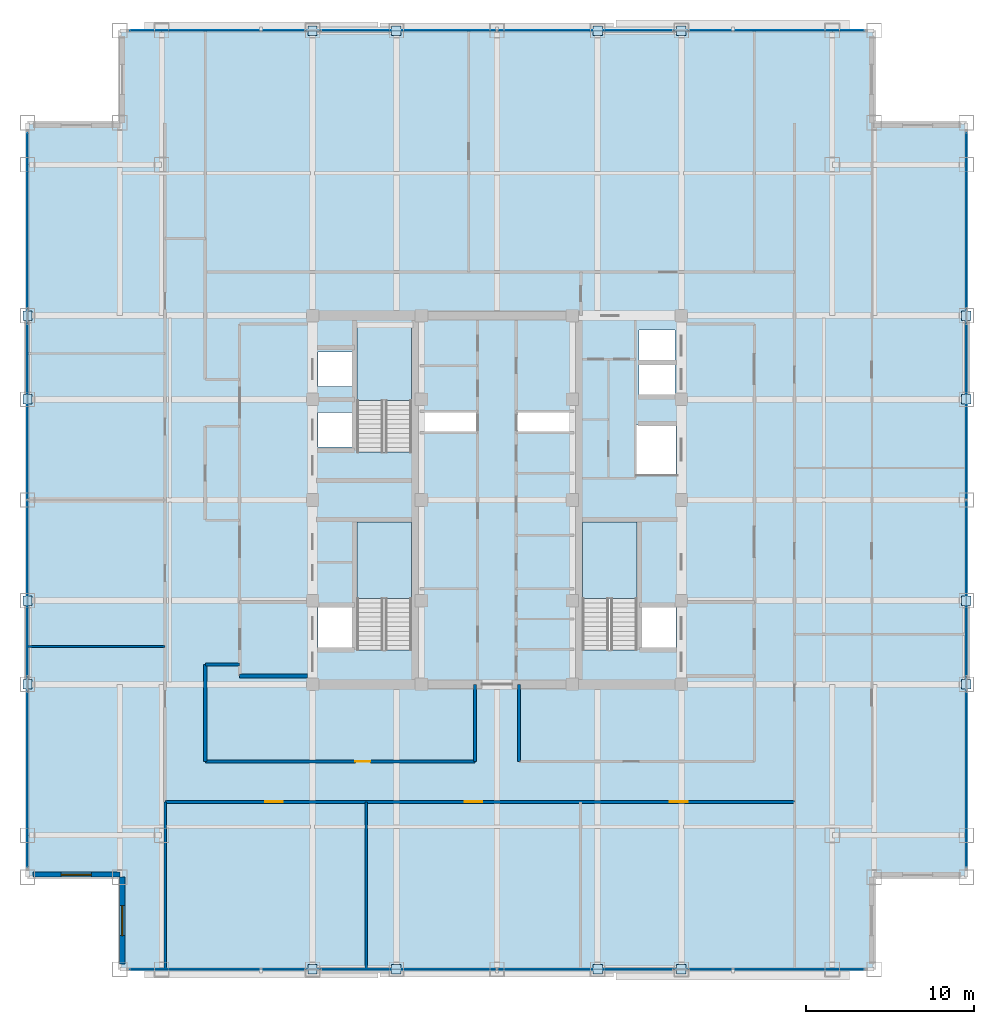
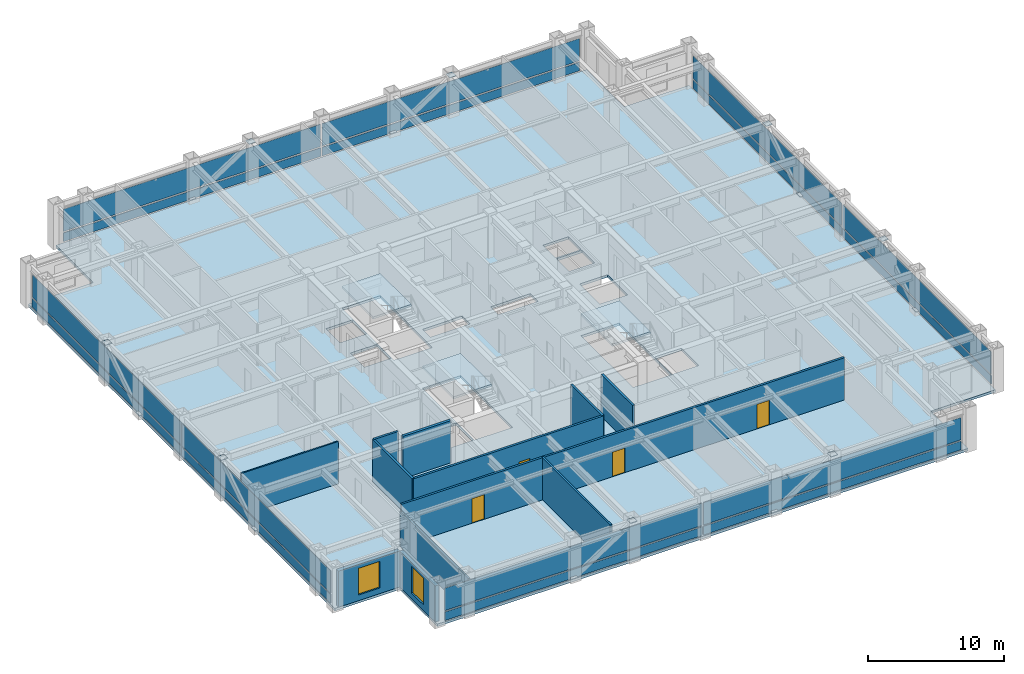
# One storey, part 17 of 27: 32 plates, 12 walls, 4 doors, 4 slabs, 2 windows, 6 openings, 7 elements without a shape of their own.
"""IFC4 building model written with IfcOpenShell, lengths in metres."""

from ifc_helpers import new_model, si_unit, direction, frame, frame_2d, origin, origin_2d, place, context, subcontext, project, spatial, polyline, rectangle, outline, extrude, source, transform, mapped, material, layer, layer_set, type_object, element, fill, aggregate, save


model = new_model("IFC4")

# Units and contexts
model_context = context("Model", 3, precision=1e-05, world=origin(), true_north=direction((0.0, 1.0)))
body_context = subcontext(model_context, "Body", "Model", "MODEL_VIEW")
ifc_project = project(units=[si_unit("LENGTHUNIT", "METRE"), si_unit("AREAUNIT", "SQUARE_METRE"), si_unit("VOLUMEUNIT", "CUBIC_METRE"), si_unit("PLANEANGLEUNIT", "RADIAN"), si_unit("MASSUNIT", "GRAM", prefix="KILO")], contexts=[model_context])

# Site, building, storey
site_placement = place(None, origin())
site = spatial("IfcSite", under=ifc_project, at=site_placement, CompositionType="ELEMENT")
building_placement = place(site_placement, origin())
building = spatial("IfcBuilding", under=site, at=building_placement, Name="Khorayat Bourse Tower", CompositionType="ELEMENT")
storey_placement = place(building_placement, frame((0.0, 0.0, 317.5)))
storey = spatial("IfcBuildingStorey", under=building, at=storey_placement, Name="L75", CompositionType="ELEMENT", Elevation=317.5)

# Stair, slab
ifc_material_1 = material(Name="Concrete C40/50", Category="concrete")
stair_type = type_object("IfcStairType", Name="STR-CORE-1550", PredefinedType="HALF_TURN_STAIR", material=ifc_material_1)
stair_1_placement = place(storey_placement, origin())
stair_1 = element("IfcStair", 1, at=stair_1_placement, inside=storey, type_object=stair_type, Name="L75 Exit Stair ST-1", PredefinedType="HALF_TURN_STAIR")
ifc_layer_1 = layer(ifc_material_1, 0.199951171875)
ifc_layer_set_1 = layer_set([ifc_layer_1], Name="Concrete C40/50")
slab_type_1 = type_object("IfcSlabType", Name="SLB-LANDING-200", PredefinedType="LANDING", material=ifc_layer_set_1)
slab_1_placement = place(storey_placement, frame((0.0, 0.0, 1.800048828125)))
slab_1 = element("IfcSlab", 2, at=slab_1_placement, type_object=slab_type_1, Name="ST-1 landing 1", PredefinedType="LANDING", context=body_context, shape_type="SweptSolid", body=[
    extrude(outline(polyline([(-5.10009765625, -5.8701171875), (-5.10009765625, -1.300048828125), (-8.35009765625, -1.300048828125), (-8.35009765625, -5.8701171875), (-5.10009765625, -5.8701171875)])), origin(), (0.0, 0.0, 1.0), 0.199951171875),
])
aggregate(stair_1, [slab_1])

stair_2_placement = place(storey_placement, origin())
stair_2 = element("IfcStair", 3, at=stair_2_placement, inside=storey, type_object=stair_type, Name="L75 Exit Stair ST-2", PredefinedType="HALF_TURN_STAIR")
slab_2_placement = place(storey_placement, frame((0.0, 0.0, 1.800048828125)))
slab_2 = element("IfcSlab", 4, at=slab_2_placement, type_object=slab_type_1, Name="ST-2 landing 1", PredefinedType="LANDING", context=body_context, shape_type="SweptSolid", body=[
    extrude(outline(polyline([(-5.10009765625, 5.929931640625), (-5.10009765625, 10.5), (-8.35009765625, 10.5), (-8.35009765625, 5.929931640625), (-5.10009765625, 5.929931640625)])), origin(), (0.0, 0.0, 1.0), 0.199951171875),
])
aggregate(stair_2, [slab_2])

stair_3_placement = place(storey_placement, origin())
stair_3 = element("IfcStair", 5, at=stair_3_placement, inside=storey, type_object=stair_type, Name="L75 Exit Stair ST-3", PredefinedType="HALF_TURN_STAIR")
slab_3_placement = place(storey_placement, frame((0.0, 0.0, 1.800048828125)))
slab_3 = element("IfcSlab", 6, at=slab_3_placement, type_object=slab_type_1, Name="ST-3 landing 1", PredefinedType="LANDING", context=body_context, shape_type="SweptSolid", body=[
    extrude(outline(polyline([(8.35009765625, -5.8701171875), (8.35009765625, -1.300048828125), (5.10009765625, -1.300048828125), (5.10009765625, -5.8701171875), (8.35009765625, -5.8701171875)])), origin(), (0.0, 0.0, 1.0), 0.199951171875),
])
aggregate(stair_3, [slab_3])

# Slab
ifc_layer_2 = layer(ifc_material_1, 0.219970703125)
ifc_layer_set_2 = layer_set([ifc_layer_2], Name="Concrete C40/50")
slab_type_2 = type_object("IfcSlabType", Name="SLB-OFFICE-220", PredefinedType="FLOOR", material=ifc_layer_set_2)
slab_4_placement = place(storey_placement, frame((0.0, 0.0, -0.219970703125)))
element("IfcSlab", 7, at=slab_4_placement, inside=storey, type_object=slab_type_2, Name="L75 Main Floor Slab", PredefinedType="FLOOR", context=body_context, shape_type="SweptSolid", body=[
    extrude(outline(polyline([(-22.5, -28.0), (22.5, -28.0), (22.5, -22.5), (28.0, -22.5), (28.0, 22.5), (22.5, 22.5), (22.5, 28.0), (-22.5, 28.0), (-22.5, 22.5), (-28.0, 22.5), (-28.0, -22.5), (-22.5, -22.5), (-22.5, -28.0)]), holes=[polyline([(-8.35009765625, -8.945068359375), (-5.10009765625, -8.945068359375), (-5.10009765625, -1.300048828125), (-8.35009765625, -1.300048828125), (-8.35009765625, -8.945068359375)]), polyline([(-8.35009765625, 2.85498046875), (-5.10009765625, 2.85498046875), (-5.10009765625, 10.5), (-8.35009765625, 10.5), (-8.35009765625, 2.85498046875)]), polyline([(5.10009765625, -8.945068359375), (8.35009765625, -8.945068359375), (8.35009765625, -1.300048828125), (5.10009765625, -1.300048828125), (5.10009765625, -8.945068359375)]), polyline([(-10.679931640625, 3.169921875), (-8.419921875, 3.169921875), (-8.419921875, 5.22998046875), (-10.679931640625, 5.22998046875), (-10.679931640625, 3.169921875)]), polyline([(-10.679931640625, 6.77001953125), (-8.419921875, 6.77001953125), (-8.419921875, 8.830078125), (-10.679931640625, 8.830078125), (-10.679931640625, 6.77001953125)]), polyline([(8.469970703125, 6.27001953125), (10.6298828125, 6.27001953125), (10.6298828125, 8.1298828125), (8.469970703125, 8.1298828125), (8.469970703125, 6.27001953125)]), polyline([(8.469970703125, 8.27001953125), (10.6298828125, 8.27001953125), (10.6298828125, 10.1298828125), (8.469970703125, 10.1298828125), (8.469970703125, 8.27001953125)]), polyline([(-10.679931640625, -8.929931640625), (-8.419921875, -8.929931640625), (-8.419921875, -6.3701171875), (-10.679931640625, -6.3701171875), (-10.679931640625, -8.929931640625)]), polyline([(8.419921875, -8.929931640625), (10.679931640625, -8.929931640625), (10.679931640625, -6.3701171875), (8.419921875, -6.3701171875), (8.419921875, -8.929931640625)]), polyline([(8.320068359375, 1.52001953125), (10.679931640625, 1.52001953125), (10.679931640625, 4.47998046875), (8.320068359375, 4.47998046875), (8.320068359375, 1.52001953125)]), polyline([(-4.56005859375, 4.080078125), (-1.18994140625, 4.080078125), (-1.18994140625, 5.219970703125), (-4.56005859375, 5.219970703125), (-4.56005859375, 4.080078125)]), polyline([(1.18994140625, 4.080078125), (4.56005859375, 4.080078125), (4.56005859375, 5.219970703125), (1.18994140625, 5.219970703125), (1.18994140625, 4.080078125)])]), origin(), (0.0, 0.0, 1.0), 0.219970703125),
])

# Plates
ifc_material_2 = material(Name="Steel EN 10025-2 S355J2", Category="steel")
ifc_layer_3 = layer(ifc_material_2, 0.02490234375)
ifc_layer_set_3 = layer_set([ifc_layer_3], Name="Steel EN 10025-2 S355J2")
plate_type_1 = type_object("IfcPlateType", Name="PLT-ENDCAP-25", PredefinedType="SHEET", material=ifc_layer_set_3)
shared_shape_1 = source(origin(), body_context, "Body", "SweptSolid", [
    extrude(rectangle(XDim=0.56005859375, YDim=0.56005859375, at=origin_2d()), origin(), (0.0, 0.0, 1.0), 0.02490234375),
])
for number, where, z_axis, x_axis, name in (
    (8, (-11.0, -28.0, 0.237548828125), (0.0, 0.0, 1.0), (1.0, 0.0, 0.0), "L75 Perimeter Brace End Plate 001"),
    (9, (-6.0, -28.0, 3.517578125), (0.0, 0.0, 1.0), (1.0, 0.0, 0.0), "L75 Perimeter Brace End Plate 002"),
    (10, (6.0, -28.0, 0.237548828125), (0.0, 0.0, 1.0), (1.0, 0.0, 0.0), "L75 Perimeter Brace End Plate 003"),
    (11, (11.0, -28.0, 3.517578125), (0.0, 0.0, 1.0), (1.0, 0.0, 0.0), "L75 Perimeter Brace End Plate 004"),
    (12, (-11.0, 28.0, 0.237548828125), (0.0, 0.0, 1.0), (1.0, 0.0, 0.0), "L75 Perimeter Brace End Plate 005"),
    (13, (-6.0, 28.0, 3.517578125), (0.0, 0.0, 1.0), (1.0, 0.0, 0.0), "L75 Perimeter Brace End Plate 006"),
    (14, (6.0, 28.0, 0.237548828125), (0.0, 0.0, 1.0), (1.0, 0.0, 0.0), "L75 Perimeter Brace End Plate 007"),
    (15, (11.0, 28.0, 3.517578125), (0.0, 0.0, 1.0), (1.0, 0.0, 0.0), "L75 Perimeter Brace End Plate 008"),
    (16, (-28.0, -11.0, 0.237548828125), (0.0, 0.0, 1.0), (1.0, 0.0, 0.0), "L75 Perimeter Brace End Plate 009"),
    (17, (-28.0, -6.0, 3.517578125), (0.0, 0.0, 1.0), (1.0, 0.0, 0.0), "L75 Perimeter Brace End Plate 010"),
    (18, (-28.0, 6.0, 0.237548828125), (0.0, 0.0, 1.0), (1.0, 0.0, 0.0), "L75 Perimeter Brace End Plate 011"),
    (19, (-28.0, 11.0, 3.517578125), (0.0, 0.0, 1.0), (1.0, 0.0, 0.0), "L75 Perimeter Brace End Plate 012"),
    (20, (28.0, -11.0, 0.237548828125), (0.0, 0.0, 1.0), (1.0, 0.0, 0.0), "L75 Perimeter Brace End Plate 013"),
    (21, (28.0, -6.0, 3.517578125), (0.0, 0.0, 1.0), (1.0, 0.0, 0.0), "L75 Perimeter Brace End Plate 014"),
    (22, (28.0, 6.0, 0.237548828125), (0.0, 0.0, 1.0), (1.0, 0.0, 0.0), "L75 Perimeter Brace End Plate 015"),
    (23, (28.0, 11.0, 3.517578125), (0.0, 0.0, 1.0), (1.0, 0.0, 0.0), "L75 Perimeter Brace End Plate 016"),
):
    element("IfcPlate", number, at=place(storey_placement, frame(where, z_axis=z_axis, x_axis=x_axis)), inside=storey, type_object=plate_type_1, Name=name, PredefinedType="SHEET", context=body_context, shape_type="MappedRepresentation", body=[
        mapped(shared_shape_1, transform((0.0, 0.0, 0.0), scale=1.0)),
    ])

# Curtain wall, plates
ifc_material_3 = material(Name="Aluminium EN AW-6063 T6", Category="aluminium")
curtain_wall_type = type_object("IfcCurtainWallType", Name="CW-SYS-04", PredefinedType="NOTDEFINED", material=ifc_material_3)
curtain_wall_1_placement = place(storey_placement, origin())
curtain_wall_1 = element("IfcCurtainWall", 24, at=curtain_wall_1_placement, inside=storey, type_object=curtain_wall_type, Name="L75 Curtain Wall CW-L75-S1", PredefinedType="NOTDEFINED")
ifc_material_4 = material(Name="Honed desert limestone insulated spandrel", Category="masonry")
ifc_layer_4 = layer(ifc_material_4, 0.06494140625)
ifc_layer_set_4 = layer_set([ifc_layer_4], Name="Honed desert limestone insulated spandrel")
plate_type_2 = type_object("IfcPlateType", Name="CWP-SPAND-03", PredefinedType="CURTAIN_PANEL", material=ifc_layer_set_4)
shared_shape_2 = source(origin(), body_context, "Body", "SweptSolid", [
    extrude(rectangle(XDim=21.820068359375, YDim=0.06494140625, at=origin_2d()), origin(), (0.0, 0.0, 1.0), 0.77001953125),
])
plate_1_placement = place(storey_placement, frame((-10.969970703125, -28.0, 0.119873046875), z_axis=(0.0, 0.0, 1.0), x_axis=(1.0, 0.0, 0.0)))
plate_1 = element("IfcPlate", 25, at=plate_1_placement, type_object=plate_type_2, Name="CW-L75-S1 Spandrel Panel 1-1", PredefinedType="CURTAIN_PANEL", context=body_context, shape_type="MappedRepresentation", body=[
    mapped(shared_shape_2, transform((0.0, 0.0, 0.0), scale=1.0)),
])
plate_2_placement = place(storey_placement, frame((10.969970703125, -28.0, 0.119873046875), z_axis=(0.0, 0.0, 1.0), x_axis=(1.0, 0.0, 0.0)))
plate_2 = element("IfcPlate", 26, at=plate_2_placement, type_object=plate_type_2, Name="CW-L75-S1 Spandrel Panel 2-1", PredefinedType="CURTAIN_PANEL", context=body_context, shape_type="MappedRepresentation", body=[
    mapped(shared_shape_2, transform((0.0, 0.0, 0.0), scale=1.0)),
])

curtain_wall_2_placement = place(storey_placement, origin())
curtain_wall_2 = element("IfcCurtainWall", 27, at=curtain_wall_2_placement, inside=storey, type_object=curtain_wall_type, Name="L75 Curtain Wall CW-L75-N1", PredefinedType="NOTDEFINED")
plate_3_placement = place(storey_placement, frame((-10.969970703125, 28.0, 0.119873046875), z_axis=(0.0, 0.0, 1.0), x_axis=(1.0, 0.0, 0.0)))
plate_3 = element("IfcPlate", 28, at=plate_3_placement, type_object=plate_type_2, Name="CW-L75-N1 Spandrel Panel 1-1", PredefinedType="CURTAIN_PANEL", context=body_context, shape_type="MappedRepresentation", body=[
    mapped(shared_shape_2, transform((0.0, 0.0, 0.0), scale=1.0)),
])
plate_4_placement = place(storey_placement, frame((10.969970703125, 28.0, 0.119873046875), z_axis=(0.0, 0.0, 1.0), x_axis=(1.0, 0.0, 0.0)))
plate_4 = element("IfcPlate", 29, at=plate_4_placement, type_object=plate_type_2, Name="CW-L75-N1 Spandrel Panel 2-1", PredefinedType="CURTAIN_PANEL", context=body_context, shape_type="MappedRepresentation", body=[
    mapped(shared_shape_2, transform((0.0, 0.0, 0.0), scale=1.0)),
])

curtain_wall_3_placement = place(storey_placement, origin())
curtain_wall_3 = element("IfcCurtainWall", 30, at=curtain_wall_3_placement, inside=storey, type_object=curtain_wall_type, Name="L75 Curtain Wall CW-L75-W1", PredefinedType="NOTDEFINED")
plate_5_placement = place(storey_placement, frame((-28.0, -10.969970703125, 0.119873046875), z_axis=(0.0, 0.0, 1.0), x_axis=(0.0, 1.0, 0.0)))
plate_5 = element("IfcPlate", 31, at=plate_5_placement, type_object=plate_type_2, Name="CW-L75-W1 Spandrel Panel 1-1", PredefinedType="CURTAIN_PANEL", context=body_context, shape_type="MappedRepresentation", body=[
    mapped(shared_shape_2, transform((0.0, 0.0, 0.0), scale=1.0)),
])
plate_6_placement = place(storey_placement, frame((-28.0, 10.969970703125, 0.119873046875), z_axis=(0.0, 0.0, 1.0), x_axis=(0.0, 1.0, 0.0)))
plate_6 = element("IfcPlate", 32, at=plate_6_placement, type_object=plate_type_2, Name="CW-L75-W1 Spandrel Panel 2-1", PredefinedType="CURTAIN_PANEL", context=body_context, shape_type="MappedRepresentation", body=[
    mapped(shared_shape_2, transform((0.0, 0.0, 0.0), scale=1.0)),
])

curtain_wall_4_placement = place(storey_placement, origin())
curtain_wall_4 = element("IfcCurtainWall", 33, at=curtain_wall_4_placement, inside=storey, type_object=curtain_wall_type, Name="L75 Curtain Wall CW-L75-E1", PredefinedType="NOTDEFINED")
plate_7_placement = place(storey_placement, frame((28.0, -10.969970703125, 0.119873046875), z_axis=(0.0, 0.0, 1.0), x_axis=(0.0, 1.0, 0.0)))
plate_7 = element("IfcPlate", 34, at=plate_7_placement, type_object=plate_type_2, Name="CW-L75-E1 Spandrel Panel 1-1", PredefinedType="CURTAIN_PANEL", context=body_context, shape_type="MappedRepresentation", body=[
    mapped(shared_shape_2, transform((0.0, 0.0, 0.0), scale=1.0)),
])
plate_8_placement = place(storey_placement, frame((28.0, 10.969970703125, 0.119873046875), z_axis=(0.0, 0.0, 1.0), x_axis=(0.0, 1.0, 0.0)))
plate_8 = element("IfcPlate", 35, at=plate_8_placement, type_object=plate_type_2, Name="CW-L75-E1 Spandrel Panel 2-1", PredefinedType="CURTAIN_PANEL", context=body_context, shape_type="MappedRepresentation", body=[
    mapped(shared_shape_2, transform((0.0, 0.0, 0.0), scale=1.0)),
])

# Plate
ifc_material_5 = material(Name="Low-E solar-control laminated double glazing", Category="glass")
ifc_layer_5 = layer(ifc_material_5, 0.0419921875)
ifc_layer_set_5 = layer_set([ifc_layer_5], Name="Low-E solar-control laminated double glazing")
plate_type_3 = type_object("IfcPlateType", Name="CWP-FACET-02", PredefinedType="CURTAIN_PANEL", material=ifc_layer_set_5)
shared_shape_3 = source(origin(), body_context, "Body", "SweptSolid", [
    extrude(rectangle(XDim=21.820068359375, YDim=0.0419921875, at=origin_2d()), origin(), (0.0, 0.0, 1.0), 2.0),
])
plate_9_placement = place(storey_placement, frame((-10.969970703125, -28.0, 1.010009765625), z_axis=(0.0, 0.0, 1.0), x_axis=(1.0, 0.0, 0.0)))
plate_9 = element("IfcPlate", 36, at=plate_9_placement, type_object=plate_type_3, Name="CW-L75-S1 Vision Panel 1-2", PredefinedType="CURTAIN_PANEL", context=body_context, shape_type="MappedRepresentation", body=[
    mapped(shared_shape_3, transform((0.0, 0.0, 0.0), scale=1.0)),
])

plate_10_placement = place(storey_placement, frame((10.969970703125, -28.0, 1.010009765625), z_axis=(0.0, 0.0, 1.0), x_axis=(1.0, 0.0, 0.0)))
plate_10 = element("IfcPlate", 37, at=plate_10_placement, type_object=plate_type_3, Name="CW-L75-S1 Vision Panel 2-2", PredefinedType="CURTAIN_PANEL", context=body_context, shape_type="MappedRepresentation", body=[
    mapped(shared_shape_3, transform((0.0, 0.0, 0.0), scale=1.0)),
])

aggregate(curtain_wall_1, [plate_1, plate_9, plate_2, plate_10])

plate_11_placement = place(storey_placement, frame((-10.969970703125, 28.0, 1.010009765625), z_axis=(0.0, 0.0, 1.0), x_axis=(1.0, 0.0, 0.0)))
plate_11 = element("IfcPlate", 38, at=plate_11_placement, type_object=plate_type_3, Name="CW-L75-N1 Vision Panel 1-2", PredefinedType="CURTAIN_PANEL", context=body_context, shape_type="MappedRepresentation", body=[
    mapped(shared_shape_3, transform((0.0, 0.0, 0.0), scale=1.0)),
])

plate_12_placement = place(storey_placement, frame((10.969970703125, 28.0, 1.010009765625), z_axis=(0.0, 0.0, 1.0), x_axis=(1.0, 0.0, 0.0)))
plate_12 = element("IfcPlate", 39, at=plate_12_placement, type_object=plate_type_3, Name="CW-L75-N1 Vision Panel 2-2", PredefinedType="CURTAIN_PANEL", context=body_context, shape_type="MappedRepresentation", body=[
    mapped(shared_shape_3, transform((0.0, 0.0, 0.0), scale=1.0)),
])

aggregate(curtain_wall_2, [plate_3, plate_11, plate_4, plate_12])

plate_13_placement = place(storey_placement, frame((-28.0, -10.969970703125, 1.010009765625), z_axis=(0.0, 0.0, 1.0), x_axis=(0.0, 1.0, 0.0)))
plate_13 = element("IfcPlate", 40, at=plate_13_placement, type_object=plate_type_3, Name="CW-L75-W1 Vision Panel 1-2", PredefinedType="CURTAIN_PANEL", context=body_context, shape_type="MappedRepresentation", body=[
    mapped(shared_shape_3, transform((0.0, 0.0, 0.0), scale=1.0)),
])

plate_14_placement = place(storey_placement, frame((-28.0, 10.969970703125, 1.010009765625), z_axis=(0.0, 0.0, 1.0), x_axis=(0.0, 1.0, 0.0)))
plate_14 = element("IfcPlate", 41, at=plate_14_placement, type_object=plate_type_3, Name="CW-L75-W1 Vision Panel 2-2", PredefinedType="CURTAIN_PANEL", context=body_context, shape_type="MappedRepresentation", body=[
    mapped(shared_shape_3, transform((0.0, 0.0, 0.0), scale=1.0)),
])

aggregate(curtain_wall_3, [plate_5, plate_13, plate_6, plate_14])

plate_15_placement = place(storey_placement, frame((28.0, -10.969970703125, 1.010009765625), z_axis=(0.0, 0.0, 1.0), x_axis=(0.0, 1.0, 0.0)))
plate_15 = element("IfcPlate", 42, at=plate_15_placement, type_object=plate_type_3, Name="CW-L75-E1 Vision Panel 1-2", PredefinedType="CURTAIN_PANEL", context=body_context, shape_type="MappedRepresentation", body=[
    mapped(shared_shape_3, transform((0.0, 0.0, 0.0), scale=1.0)),
])

plate_16_placement = place(storey_placement, frame((28.0, 10.969970703125, 1.010009765625), z_axis=(0.0, 0.0, 1.0), x_axis=(0.0, 1.0, 0.0)))
plate_16 = element("IfcPlate", 43, at=plate_16_placement, type_object=plate_type_3, Name="CW-L75-E1 Vision Panel 2-2", PredefinedType="CURTAIN_PANEL", context=body_context, shape_type="MappedRepresentation", body=[
    mapped(shared_shape_3, transform((0.0, 0.0, 0.0), scale=1.0)),
])

aggregate(curtain_wall_4, [plate_7, plate_15, plate_8, plate_16])

# Wall, opening, window
ifc_material_6 = material(Name="Precast concrete C45/55", Category="concrete")
ifc_layer_6 = layer(ifc_material_6, 0.320068359375)
ifc_layer_set_6 = layer_set([ifc_layer_6], Name="Precast concrete C45/55")
wall_type_1 = type_object("IfcWallType", Name="WAL-EXT-STONE-320", PredefinedType="STANDARD", material=ifc_layer_set_6)
shared_shape_4 = source(origin(), body_context, "Body", "SweptSolid", [
    extrude(rectangle(XDim=5.179931640625, YDim=0.320068359375, at=frame_2d((2.58984375, 0.0))), origin(), (0.0, 0.0, 1.0), 3.23095703125),
])
wall_1_placement = place(storey_placement, frame((-22.5, -22.340087890625, 0.0), z_axis=(0.0, 0.0, 1.0), x_axis=(-1.0, 0.0, 0.0)))
wall_1 = element("IfcWall", 44, at=wall_1_placement, inside=storey, type_object=wall_type_1, Name="L75 Re-Entrant Notch Limestone Wall SW-H", PredefinedType="STANDARD", context=body_context, shape_type="MappedRepresentation", body=[
    mapped(shared_shape_4, transform((0.0, 0.0, 0.0), scale=1.0)),
])
shared_shape_5 = source(origin(), body_context, "Body", "SweptSolid", [
    extrude(rectangle(XDim=1.800048828125, YDim=2.39990234375, at=frame_2d((0.89990234375, 1.199951171875))), frame((0.0, 0.169921875, 0.0), z_axis=(0.0, -1.0, 0.0), x_axis=(1.0, 0.0, 0.0)), (0.0, 0.0, 1.0), 0.340087890625),
])
opening_1_placement = place(wall_1_placement, frame((1.68994140625, 0.0, 0.5)))
opening_1 = element("IfcOpeningElement", 45, at=opening_1_placement, cuts=wall_1, Name="Opening WN-04", PredefinedType="OPENING", context=body_context, shape_type="MappedRepresentation", body=[
    mapped(shared_shape_5, transform((0.0, 0.0, 0.0), scale=1.0)),
])
ifc_material_7 = material(Name="Low-E acoustic laminated double glazing", Category="glass")
window_type = type_object("IfcWindowType", Name="WIN-NOTCH-1800x2400", PartitioningType="SINGLE_PANEL", PredefinedType="WINDOW", material=ifc_material_7)
shared_shape_6 = source(origin(), body_context, "Body", "SweptSolid", [
    extrude(rectangle(XDim=1.800048828125, YDim=2.39990234375, at=frame_2d((0.89990234375, 1.199951171875))), frame((0.0, 0.030029296875, 0.0), z_axis=(0.0, -1.0, 0.0), x_axis=(1.0, 0.0, 0.0)), (0.0, 0.0, 1.0), 0.06005859375),
])
window_1_placement = place(opening_1_placement, origin())
window_1 = element("IfcWindow", 46, at=window_1_placement, inside=storey, type_object=window_type, Name="L75 Facade Window 1", OverallHeight=2.39990234375, OverallWidth=1.800048828125, PartitioningType="SINGLE_PANEL", PredefinedType="WINDOW", context=body_context, shape_type="MappedRepresentation", body=[
    mapped(shared_shape_6, transform((0.0, 0.0, 0.0), scale=1.0)),
])
fill(opening_1, window_1)

wall_2_placement = place(storey_placement, frame((-22.340087890625, -27.679931640625, 0.0), z_axis=(0.0, 0.0, 1.0), x_axis=(0.0, 1.0, 0.0)))
wall_2 = element("IfcWall", 47, at=wall_2_placement, inside=storey, type_object=wall_type_1, Name="L75 Re-Entrant Notch Limestone Wall SW-V", PredefinedType="STANDARD", context=body_context, shape_type="MappedRepresentation", body=[
    mapped(shared_shape_4, transform((0.0, 0.0, 0.0), scale=1.0)),
])
opening_2_placement = place(wall_2_placement, frame((1.68994140625, 0.0, 0.5)))
opening_2 = element("IfcOpeningElement", 48, at=opening_2_placement, cuts=wall_2, Name="Opening WN-04", PredefinedType="OPENING", context=body_context, shape_type="MappedRepresentation", body=[
    mapped(shared_shape_5, transform((0.0, 0.0, 0.0), scale=1.0)),
])
window_2_placement = place(opening_2_placement, origin())
window_2 = element("IfcWindow", 49, at=window_2_placement, inside=storey, type_object=window_type, Name="L75 Facade Window 1", OverallHeight=2.39990234375, OverallWidth=1.800048828125, PartitioningType="SINGLE_PANEL", PredefinedType="WINDOW", context=body_context, shape_type="MappedRepresentation", body=[
    mapped(shared_shape_6, transform((0.0, 0.0, 0.0), scale=1.0)),
])
fill(opening_2, window_2)

# Walls
ifc_material_8 = material(Name="Aerated concrete blockwork", Category="masonry")
ifc_layer_7 = layer(ifc_material_8, 0.219970703125)
ifc_layer_set_7 = layer_set([ifc_layer_7], Name="Aerated concrete blockwork")
wall_type_2 = type_object("IfcWallType", Name="WAL-PART-FF-220", PredefinedType="PARTITIONING", material=ifc_layer_set_7)
shared_shape_7 = source(origin(), body_context, "Body", "SweptSolid", [
    extrude(rectangle(XDim=4.050048828125, YDim=0.219970703125, at=frame_2d((2.02490234375, 0.0))), origin(), (0.0, 0.0, 1.0), 3.780029296875),
])
wall_3_placement = place(storey_placement, frame((-15.35009765625, -10.5, 0.0), z_axis=(0.0, 0.0, 1.0), x_axis=(1.0, 0.0, 0.0)))
element("IfcWall", 50, at=wall_3_placement, inside=storey, type_object=wall_type_2, Name="L75 Partition WAL-L75-FFLW-S", PredefinedType="PARTITIONING", context=body_context, shape_type="MappedRepresentation", body=[
    mapped(shared_shape_7, transform((0.0, 0.0, 0.0), scale=1.0)),
])
ifc_material_9 = material(Name="Gypsum plasterboard acoustic stud wall")
ifc_layer_8 = layer(ifc_material_9, 0.179931640625)
ifc_layer_set_8 = layer_set([ifc_layer_8], Name="Gypsum plasterboard acoustic stud wall")
wall_type_3 = type_object("IfcWallType", Name="WAL-PART-CORR-180", PredefinedType="PARTITIONING", material=ifc_layer_set_8)
shared_shape_8 = source(origin(), body_context, "Body", "SweptSolid", [
    extrude(rectangle(XDim=2.0498046875, YDim=0.179931640625, at=frame_2d((1.02490234375, 0.0))), origin(), (0.0, 0.0, 1.0), 3.780029296875),
])
wall_4_placement = place(storey_placement, frame((-17.39990234375, -9.800048828125, 0.0), z_axis=(0.0, 0.0, 1.0), x_axis=(1.0, 0.0, 0.0)))
element("IfcWall", 51, at=wall_4_placement, inside=storey, type_object=wall_type_3, Name="L75 Partition WAL-L75-THRW-S", PredefinedType="PARTITIONING", context=body_context, shape_type="MappedRepresentation", body=[
    mapped(shared_shape_8, transform((0.0, 0.0, 0.0), scale=1.0)),
])

# Wall, opening, door
shared_shape_9 = source(origin(), body_context, "Body", "SweptSolid", [
    extrude(rectangle(XDim=16.099853515625, YDim=0.179931640625, at=frame_2d((8.0498046875, 0.0))), origin(), (0.0, 0.0, 1.0), 3.780029296875),
])
wall_5_placement = place(storey_placement, frame((-17.39990234375, -15.60009765625, 0.0), z_axis=(0.0, 0.0, 1.0), x_axis=(1.0, 0.0, 0.0)))
wall_5 = element("IfcWall", 52, at=wall_5_placement, inside=storey, type_object=wall_type_3, Name="L75 Partition WAL-L75-PKSW-S", PredefinedType="PARTITIONING", context=body_context, shape_type="MappedRepresentation", body=[
    mapped(shared_shape_9, transform((0.0, 0.0, 0.0), scale=1.0)),
])
shared_shape_10 = source(origin(), body_context, "Body", "SweptSolid", [
    extrude(rectangle(XDim=0.89990234375, YDim=2.14990234375, at=frame_2d((0.449951171875, 1.074951171875))), frame((0.0, 0.099853515625, 0.0), z_axis=(0.0, -1.0, 0.0), x_axis=(1.0, 0.0, 0.0)), (0.0, 0.0, 1.0), 0.199951171875),
])
opening_3_placement = place(wall_5_placement, frame((8.949951171875, 0.0, 0.0)))
opening_3 = element("IfcOpeningElement", 53, at=opening_3_placement, cuts=wall_5, Name="Opening DI-06", PredefinedType="OPENING", context=body_context, shape_type="MappedRepresentation", body=[
    mapped(shared_shape_10, transform((0.0, 0.0, 0.0), scale=1.0)),
])
ifc_material_10 = material(Name="Moisture-resistant laminate washroom door")
door_type_1 = type_object("IfcDoorType", Name="DR-INT-WC-900", OperationType="NOTDEFINED", PredefinedType="DOOR", material=ifc_material_10)
shared_shape_11 = source(origin(), body_context, "Body", "SweptSolid", [
    extrude(rectangle(XDim=0.89990234375, YDim=2.14990234375, at=frame_2d((0.449951171875, 1.074951171875))), frame((0.0, 0.02490234375, 0.0), z_axis=(0.0, -1.0, 0.0), x_axis=(1.0, 0.0, 0.0)), (0.0, 0.0, 1.0), 0.050048828125),
])
door_1_placement = place(opening_3_placement, origin())
door_1 = element("IfcDoor", 54, at=door_1_placement, inside=storey, type_object=door_type_1, Name="L75 SW Inboard Pantry Door", OperationType="SINGLE_SWING_LEFT", OverallHeight=2.14990234375, OverallWidth=0.89990234375, PredefinedType="DOOR", context=body_context, shape_type="MappedRepresentation", body=[
    mapped(shared_shape_11, transform((0.0, 0.0, 0.0), scale=1.0)),
])
fill(opening_3, door_1)

# Wall
shared_shape_12 = source(origin(), body_context, "Body", "SweptSolid", [
    extrude(rectangle(XDim=5.800048828125, YDim=0.179931640625, at=frame_2d((2.89990234375, 0.0))), origin(), (0.0, 0.0, 1.0), 3.780029296875),
])
wall_6_placement = place(storey_placement, frame((-17.39990234375, -15.60009765625, 0.0), z_axis=(0.0, 0.0, 1.0), x_axis=(0.0, 1.0, 0.0)))
element("IfcWall", 55, at=wall_6_placement, inside=storey, type_object=wall_type_3, Name="L75 Partition WAL-L75-PKSW-W", PredefinedType="PARTITIONING", context=body_context, shape_type="MappedRepresentation", body=[
    mapped(shared_shape_12, transform((0.0, 0.0, 0.0), scale=1.0)),
])

# Wall, openings, doors
shared_shape_13 = source(origin(), body_context, "Body", "SweptSolid", [
    extrude(rectangle(XDim=37.550048828125, YDim=0.179931640625, at=frame_2d((18.77490234375, 0.0))), origin(), (0.0, 0.0, 1.0), 3.780029296875),
])
wall_7_placement = place(storey_placement, frame((-19.800048828125, -18.0, 0.0), z_axis=(0.0, 0.0, 1.0), x_axis=(1.0, 0.0, 0.0)))
wall_7 = element("IfcWall", 56, at=wall_7_placement, inside=storey, type_object=wall_type_3, Name="L75 Partition WAL-L75-SCORR", PredefinedType="PARTITIONING", context=body_context, shape_type="MappedRepresentation", body=[
    mapped(shared_shape_13, transform((0.0, 0.0, 0.0), scale=1.0)),
])
shared_shape_14 = source(origin(), body_context, "Body", "SweptSolid", [
    extrude(rectangle(XDim=1.050048828125, YDim=2.199951171875, at=frame_2d((0.52490234375, 1.10009765625))), frame((0.0, 0.099853515625, 0.0), z_axis=(0.0, -1.0, 0.0), x_axis=(1.0, 0.0, 0.0)), (0.0, 0.0, 1.0), 0.199951171875),
])
opening_4_placement = place(wall_7_placement, frame((5.98291015625, 0.0, 0.0)))
opening_4 = element("IfcOpeningElement", 57, at=opening_4_placement, cuts=wall_7, Name="Opening DI-04", PredefinedType="OPENING", context=body_context, shape_type="MappedRepresentation", body=[
    mapped(shared_shape_14, transform((0.0, 0.0, 0.0), scale=1.0)),
])
opening_5_placement = place(wall_7_placement, frame((17.87451171875, 0.0, 0.0)))
opening_5 = element("IfcOpeningElement", 58, at=opening_5_placement, cuts=wall_7, Name="Opening DI-04", PredefinedType="OPENING", context=body_context, shape_type="MappedRepresentation", body=[
    mapped(shared_shape_14, transform((0.0, 0.0, 0.0), scale=1.0)),
])
opening_6_placement = place(wall_7_placement, frame((30.116455078125, 0.0, 0.0)))
opening_6 = element("IfcOpeningElement", 59, at=opening_6_placement, cuts=wall_7, Name="Opening DI-04", PredefinedType="OPENING", context=body_context, shape_type="MappedRepresentation", body=[
    mapped(shared_shape_14, transform((0.0, 0.0, 0.0), scale=1.0)),
])
ifc_material_11 = material(Name="Fire-rated oak veneer suite entrance door")
door_type_2 = type_object("IfcDoorType", Name="DR-INT-SUITE-1050", OperationType="NOTDEFINED", PredefinedType="DOOR", material=ifc_material_11)
shared_shape_15 = source(origin(), body_context, "Body", "SweptSolid", [
    extrude(rectangle(XDim=1.050048828125, YDim=2.199951171875, at=frame_2d((0.52490234375, 1.10009765625))), frame((0.0, 0.02490234375, 0.0), z_axis=(0.0, -1.0, 0.0), x_axis=(1.0, 0.0, 0.0)), (0.0, 0.0, 1.0), 0.050048828125),
])
door_2_placement = place(opening_4_placement, origin())
door_2 = element("IfcDoor", 60, at=door_2_placement, inside=storey, type_object=door_type_2, Name="L75 Clearing Operations Office S1 Door", OperationType="SINGLE_SWING_RIGHT", OverallHeight=2.199951171875, OverallWidth=1.050048828125, PredefinedType="DOOR", context=body_context, shape_type="MappedRepresentation", body=[
    mapped(shared_shape_15, transform((0.0, 0.0, 0.0), scale=1.0)),
])
fill(opening_4, door_2)
door_3_placement = place(opening_5_placement, origin())
door_3 = element("IfcDoor", 61, at=door_3_placement, inside=storey, type_object=door_type_2, Name="L75 Market Risk Analytics Workspace S2 Door", OperationType="SINGLE_SWING_LEFT", OverallHeight=2.199951171875, OverallWidth=1.050048828125, PredefinedType="DOOR", context=body_context, shape_type="MappedRepresentation", body=[
    mapped(shared_shape_15, transform((0.0, 0.0, 0.0), scale=1.0)),
])
fill(opening_5, door_3)
door_4_placement = place(opening_6_placement, origin())
door_4 = element("IfcDoor", 62, at=door_4_placement, inside=storey, type_object=door_type_2, Name="L75 Equities Trading Desk S3 Door", OperationType="SINGLE_SWING_RIGHT", OverallHeight=2.199951171875, OverallWidth=1.050048828125, PredefinedType="DOOR", context=body_context, shape_type="MappedRepresentation", body=[
    mapped(shared_shape_15, transform((0.0, 0.0, 0.0), scale=1.0)),
])
fill(opening_6, door_4)

# Walls
ifc_material_12 = material(Name="Gypsum plasterboard partition")
ifc_layer_9 = layer(ifc_material_12, 0.125)
ifc_layer_set_9 = layer_set([ifc_layer_9], Name="Gypsum plasterboard partition")
wall_type_4 = type_object("IfcWallType", Name="WAL-PART-ROOM-125", PredefinedType="PARTITIONING", material=ifc_layer_set_9)
shared_shape_16 = source(origin(), body_context, "Body", "SweptSolid", [
    extrude(rectangle(XDim=8.199951171875, YDim=0.125, at=frame_2d((4.10009765625, 0.0))), origin(), (0.0, 0.0, 1.0), 3.780029296875),
])
wall_8_placement = place(storey_placement, frame((-28.0, -8.736083984375, 0.0), z_axis=(0.0, 0.0, 1.0), x_axis=(1.0, 0.0, 0.0)))
element("IfcWall", 63, at=wall_8_placement, inside=storey, type_object=wall_type_4, Name="L75 Partition WAL-L75-WDV-1", PredefinedType="PARTITIONING", context=body_context, shape_type="MappedRepresentation", body=[
    mapped(shared_shape_16, transform((0.0, 0.0, 0.0), scale=1.0)),
])
shared_shape_17 = source(origin(), body_context, "Body", "SweptSolid", [
    extrude(rectangle(XDim=4.60009765625, YDim=0.179931640625, at=frame_2d((2.300048828125, 0.0))), origin(), (0.0, 0.0, 1.0), 3.780029296875),
])
for number, where, z_axis, x_axis, name in (
    (64, (-1.300048828125, -15.60009765625, 0.0), (0.0, 0.0, 1.0), (0.0, 1.0, 0.0), "L75 Partition WAL-L75-PKSW-E"),
    (65, (1.300048828125, -15.60009765625, 0.0), (0.0, 0.0, 1.0), (0.0, 1.0, 0.0), "L75 Partition WAL-L75-PKSE-W"),
):
    element("IfcWall", number, at=place(storey_placement, frame(where, z_axis=z_axis, x_axis=x_axis)), inside=storey, type_object=wall_type_3, Name=name, PredefinedType="PARTITIONING", context=body_context, shape_type="MappedRepresentation", body=[
        mapped(shared_shape_17, transform((0.0, 0.0, 0.0), scale=1.0)),
    ])
ifc_material_13 = material(Name="Gypsum plasterboard twin-frame partition")
ifc_layer_10 = layer(ifc_material_13, 0.14990234375)
ifc_layer_set_10 = layer_set([ifc_layer_10], Name="Gypsum plasterboard twin-frame partition")
wall_type_5 = type_object("IfcWallType", Name="WAL-PART-SUITE-150", PredefinedType="PARTITIONING", material=ifc_layer_set_10)
shared_shape_18 = source(origin(), body_context, "Body", "SweptSolid", [
    extrude(rectangle(XDim=10.0, YDim=0.14990234375, at=frame_2d((5.0, 0.0))), origin(), (0.0, 0.0, 1.0), 3.780029296875),
])
wall_9_placement = place(storey_placement, frame((-7.783935546875, -28.0, 0.0), z_axis=(0.0, 0.0, 1.0), x_axis=(0.0, 1.0, 0.0)))
element("IfcWall", 66, at=wall_9_placement, inside=storey, type_object=wall_type_5, Name="L75 Partition WAL-L75-SDV-1", PredefinedType="PARTITIONING", context=body_context, shape_type="MappedRepresentation", body=[
    mapped(shared_shape_18, transform((0.0, 0.0, 0.0), scale=1.0)),
])
shared_shape_19 = source(origin(), body_context, "Body", "SweptSolid", [
    extrude(rectangle(XDim=10.0, YDim=0.14990234375, at=frame_2d((5.0, 0.0))), origin(), (0.0, 0.0, 1.0), 3.1640625),
])
wall_10_placement = place(storey_placement, frame((-19.800048828125, -28.0, 0.0), z_axis=(0.0, 0.0, 1.0), x_axis=(0.0, 1.0, 0.0)))
element("IfcWall", 67, at=wall_10_placement, inside=storey, type_object=wall_type_5, Name="L75 Partition WAL-L75-SCW-END", PredefinedType="PARTITIONING", context=body_context, shape_type="MappedRepresentation", body=[
    mapped(shared_shape_19, transform((0.0, 0.0, 0.0), scale=1.0)),
])

save(model, "model.ifc")
